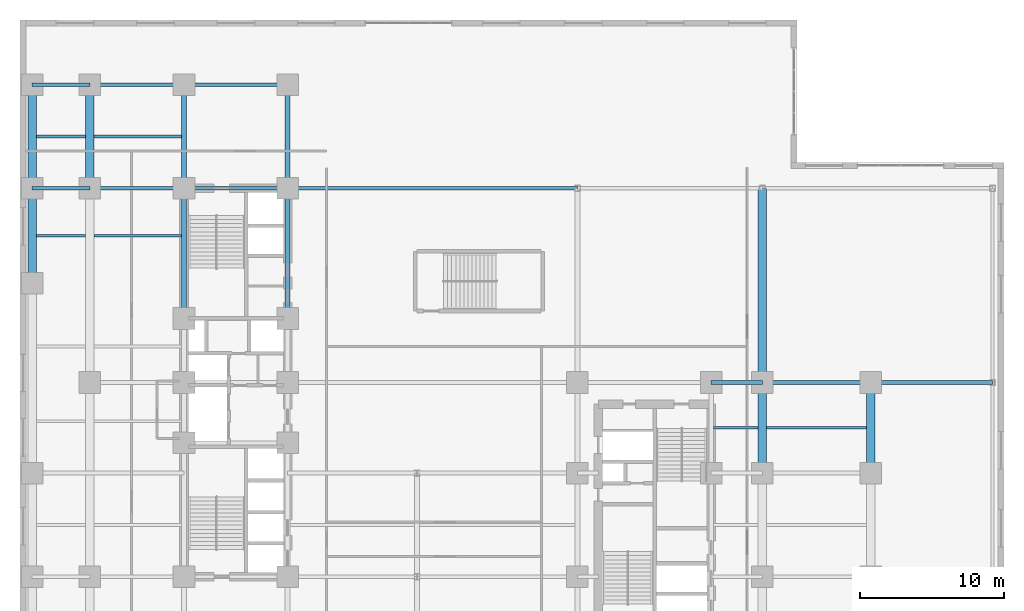
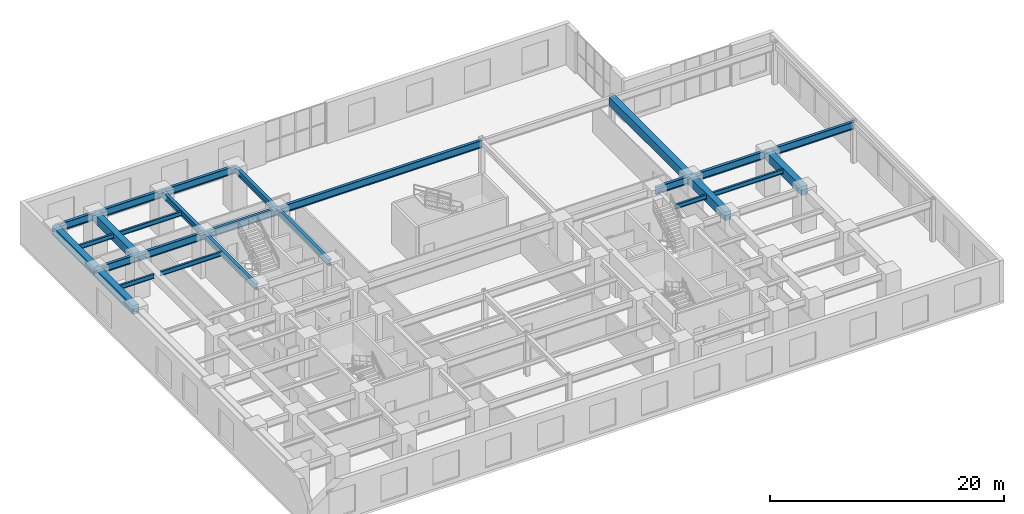
# One storey, part 4 of 15: 26 beams.
"""IFC4 building model written with IfcOpenShell, lengths in metres."""

from ifc_helpers import new_model, entity, si_unit, converted_unit, direction, frame, origin_with_axes, origin_2d_with_axis, place, context, subcontext, project, spatial, rectangle, i_section, extrude, material, material_profile, profile_set, type_object, element, save


model = new_model("IFC4")

# Units and contexts
model_context = context("Model", 3, precision=1e-05, world=origin_with_axes(), true_north=direction((0.0, 1.0)))
body_context = subcontext(model_context, "Body", "Model", "MODEL_VIEW")
ifc_project = project(units=[si_unit("LENGTHUNIT", "METRE"), si_unit("AREAUNIT", "SQUARE_METRE"), si_unit("VOLUMEUNIT", "CUBIC_METRE"), converted_unit("PLANEANGLEUNIT", "DEGREE", entity("IfcPlaneAngleMeasure", 0.017453292519943295), si_unit("PLANEANGLEUNIT", "RADIAN"), dimensions=[0, 0, 0, 0, 0, 0, 0]), si_unit("MASSUNIT", "GRAM", prefix="KILO"), si_unit("THERMODYNAMICTEMPERATUREUNIT", "KELVIN")], contexts=[model_context])

# Site, building, storey
site_placement = place(None, origin_with_axes())
site = spatial("IfcSite", under=ifc_project, at=site_placement, CompositionType="ELEMENT")
building_placement = place(site_placement, origin_with_axes())
building = spatial("IfcBuilding", under=site, at=building_placement, Name="Varnlund Millrace Tower", CompositionType="ELEMENT")
storey_placement = place(building_placement, frame((0.0, 0.0, 15.3), z_axis=(0.0, 0.0, 1.0), x_axis=(1.0, 0.0, 0.0)))
storey = spatial("IfcBuildingStorey", under=building, at=storey_placement, Name="L03", CompositionType="ELEMENT", Elevation=15.3)

# Beams
ifc_material_1 = material(Name="Steel ASTM A992 Grade 50", Category="steel")
ifc_material_profile_1 = material_profile(ifc_material_1, i_section(OverallWidth=0.328, OverallDepth=0.628, WebThickness=0.0165, FlangeThickness=0.0277, FilletRadius=0.018, at=origin_2d_with_axis()), Name="Steel ASTM A992 Grade 50")
ifc_profile_set_1 = profile_set([ifc_material_profile_1], Name="Steel ASTM A992 Grade 50")
beam_type_1 = type_object("IfcBeamType", Name="Type-Girder-W24X146", PredefinedType="USERDEFINED", material=ifc_profile_set_1)
beam_1_placement = place(storey_placement, frame((11.4, 28.75, 3.946), z_axis=(0.0, 1.0, 0.0), x_axis=(-1.0, 0.0, 0.0)))
element("IfcBeam", 1, at=beam_1_placement, inside=storey, type_object=beam_type_1, Name="Type-Girder-W24X146", ObjectType="GIRDER", PredefinedType="USERDEFINED", context=body_context, shape_type="SweptSolid", body=[
    extrude(i_section(OverallWidth=0.328, OverallDepth=0.628, WebThickness=0.0165, FlangeThickness=0.0277, FilletRadius=0.018, at=origin_2d_with_axis()), origin_with_axes(), (0.0, 0.0, 1.0), 9.05),
])
beam_2_placement = place(storey_placement, frame((11.4, 37.8, 3.946), z_axis=(0.0, 1.0, 0.0), x_axis=(-1.0, 0.0, 0.0)))
element("IfcBeam", 2, at=beam_2_placement, inside=storey, type_object=beam_type_1, Name="Type-Girder-W24X146", ObjectType="GIRDER", PredefinedType="USERDEFINED", context=body_context, shape_type="SweptSolid", body=[
    extrude(i_section(OverallWidth=0.328, OverallDepth=0.628, WebThickness=0.0165, FlangeThickness=0.0277, FilletRadius=0.018, at=origin_2d_with_axis()), origin_with_axes(), (0.0, 0.0, 1.0), 7.2),
])
beam_3_placement = place(storey_placement, frame((18.6, 28.75, 3.946), z_axis=(0.0, 1.0, 0.0), x_axis=(-1.0, 0.0, 0.0)))
element("IfcBeam", 3, at=beam_3_placement, inside=storey, type_object=beam_type_1, Name="Type-Girder-W24X146", ObjectType="GIRDER", PredefinedType="USERDEFINED", context=body_context, shape_type="SweptSolid", body=[
    extrude(i_section(OverallWidth=0.328, OverallDepth=0.628, WebThickness=0.0165, FlangeThickness=0.0277, FilletRadius=0.018, at=origin_2d_with_axis()), origin_with_axes(), (0.0, 0.0, 1.0), 9.05),
])
beam_4_placement = place(storey_placement, frame((18.6, 37.8, 3.946), z_axis=(0.0, 1.0, 0.0), x_axis=(-1.0, 0.0, 0.0)))
element("IfcBeam", 4, at=beam_4_placement, inside=storey, type_object=beam_type_1, Name="Type-Girder-W24X146", ObjectType="GIRDER", PredefinedType="USERDEFINED", context=body_context, shape_type="SweptSolid", body=[
    extrude(i_section(OverallWidth=0.328, OverallDepth=0.628, WebThickness=0.0165, FlangeThickness=0.0277, FilletRadius=0.018, at=origin_2d_with_axis()), origin_with_axes(), (0.0, 0.0, 1.0), 7.2),
])
ifc_material_profile_2 = material_profile(ifc_material_1, i_section(OverallWidth=0.266, OverallDepth=0.779, WebThickness=0.0165, FlangeThickness=0.03, FilletRadius=0.02, at=origin_2d_with_axis()), Name="Steel ASTM A992 Grade 50")
ifc_profile_set_2 = profile_set([ifc_material_profile_2], Name="Steel ASTM A992 Grade 50")
beam_type_2 = type_object("IfcBeamType", Name="Type-Girder-W30X148", PredefinedType="USERDEFINED", material=ifc_profile_set_2)
beam_5_placement = place(storey_placement, frame((48.05, 24.3, 3.8705), z_axis=(1.0, 0.0, 0.0), x_axis=(0.0, 1.0, 0.0)))
element("IfcBeam", 5, at=beam_5_placement, inside=storey, type_object=beam_type_2, Name="Type-Girder-W30X148", ObjectType="GIRDER", PredefinedType="USERDEFINED", context=body_context, shape_type="SweptSolid", body=[
    extrude(i_section(OverallWidth=0.266, OverallDepth=0.779, WebThickness=0.0165, FlangeThickness=0.03, FilletRadius=0.02, at=origin_2d_with_axis()), origin_with_axes(), (0.0, 0.0, 1.0), 3.55),
])
beam_6_placement = place(storey_placement, frame((51.6, 24.3, 3.8705), z_axis=(1.0, 0.0, 0.0), x_axis=(0.0, 1.0, 0.0)))
element("IfcBeam", 6, at=beam_6_placement, inside=storey, type_object=beam_type_2, Name="Type-Girder-W30X148", ObjectType="GIRDER", PredefinedType="USERDEFINED", context=body_context, shape_type="SweptSolid", body=[
    extrude(i_section(OverallWidth=0.266, OverallDepth=0.779, WebThickness=0.0165, FlangeThickness=0.03, FilletRadius=0.02, at=origin_2d_with_axis()), origin_with_axes(), (0.0, 0.0, 1.0), 7.55),
])
beam_7_placement = place(storey_placement, frame((59.15, 24.3, 3.8705), z_axis=(1.0, 0.0, 0.0), x_axis=(0.0, 1.0, 0.0)))
element("IfcBeam", 7, at=beam_7_placement, inside=storey, type_object=beam_type_2, Name="Type-Girder-W30X148", ObjectType="GIRDER", PredefinedType="USERDEFINED", context=body_context, shape_type="SweptSolid", body=[
    extrude(i_section(OverallWidth=0.266, OverallDepth=0.779, WebThickness=0.0165, FlangeThickness=0.03, FilletRadius=0.02, at=origin_2d_with_axis()), origin_with_axes(), (0.0, 0.0, 1.0), 8.45),
])
beam_8_placement = place(storey_placement, frame((0.85, 37.8, 3.8705), z_axis=(1.0, 0.0, 0.0), x_axis=(0.0, 1.0, 0.0)))
element("IfcBeam", 8, at=beam_8_placement, inside=storey, type_object=beam_type_2, Name="Type-Girder-W30X148", ObjectType="GIRDER", PredefinedType="USERDEFINED", context=body_context, shape_type="SweptSolid", body=[
    extrude(i_section(OverallWidth=0.266, OverallDepth=0.779, WebThickness=0.0165, FlangeThickness=0.03, FilletRadius=0.02, at=origin_2d_with_axis()), origin_with_axes(), (0.0, 0.0, 1.0), 4.0),
])
beam_9_placement = place(storey_placement, frame((4.85, 37.8, 3.8705), z_axis=(1.0, 0.0, 0.0), x_axis=(0.0, 1.0, 0.0)))
element("IfcBeam", 9, at=beam_9_placement, inside=storey, type_object=beam_type_2, Name="Type-Girder-W30X148", ObjectType="GIRDER", PredefinedType="USERDEFINED", context=body_context, shape_type="SweptSolid", body=[
    extrude(i_section(OverallWidth=0.266, OverallDepth=0.779, WebThickness=0.0165, FlangeThickness=0.03, FilletRadius=0.02, at=origin_2d_with_axis()), origin_with_axes(), (0.0, 0.0, 1.0), 6.55),
])
beam_10_placement = place(storey_placement, frame((11.4, 37.8, 3.8705), z_axis=(1.0, 0.0, 0.0), x_axis=(0.0, 1.0, 0.0)))
element("IfcBeam", 10, at=beam_10_placement, inside=storey, type_object=beam_type_2, Name="Type-Girder-W30X148", ObjectType="GIRDER", PredefinedType="USERDEFINED", context=body_context, shape_type="SweptSolid", body=[
    extrude(i_section(OverallWidth=0.266, OverallDepth=0.779, WebThickness=0.0165, FlangeThickness=0.03, FilletRadius=0.02, at=origin_2d_with_axis()), origin_with_axes(), (0.0, 0.0, 1.0), 7.2),
])
beam_11_placement = place(storey_placement, frame((18.6, 37.8, 3.8705), z_axis=(1.0, 0.0, 0.0), x_axis=(0.0, 1.0, 0.0)))
element("IfcBeam", 11, at=beam_11_placement, inside=storey, type_object=beam_type_2, Name="Type-Girder-W30X148", ObjectType="GIRDER", PredefinedType="USERDEFINED", context=body_context, shape_type="SweptSolid", body=[
    extrude(i_section(OverallWidth=0.266, OverallDepth=0.779, WebThickness=0.0165, FlangeThickness=0.03, FilletRadius=0.02, at=origin_2d_with_axis()), origin_with_axes(), (0.0, 0.0, 1.0), 20.15),
])
beam_12_placement = place(storey_placement, frame((0.85, 45.0, 3.8705), z_axis=(1.0, 0.0, 0.0), x_axis=(0.0, 1.0, 0.0)))
element("IfcBeam", 12, at=beam_12_placement, inside=storey, type_object=beam_type_2, Name="Type-Girder-W30X148", ObjectType="GIRDER", PredefinedType="USERDEFINED", context=body_context, shape_type="SweptSolid", body=[
    extrude(i_section(OverallWidth=0.266, OverallDepth=0.779, WebThickness=0.0165, FlangeThickness=0.03, FilletRadius=0.02, at=origin_2d_with_axis()), origin_with_axes(), (0.0, 0.0, 1.0), 4.0),
])
beam_13_placement = place(storey_placement, frame((4.85, 45.0, 3.8705), z_axis=(1.0, 0.0, 0.0), x_axis=(0.0, 1.0, 0.0)))
element("IfcBeam", 13, at=beam_13_placement, inside=storey, type_object=beam_type_2, Name="Type-Girder-W30X148", ObjectType="GIRDER", PredefinedType="USERDEFINED", context=body_context, shape_type="SweptSolid", body=[
    extrude(i_section(OverallWidth=0.266, OverallDepth=0.779, WebThickness=0.0165, FlangeThickness=0.03, FilletRadius=0.02, at=origin_2d_with_axis()), origin_with_axes(), (0.0, 0.0, 1.0), 6.55),
])
beam_14_placement = place(storey_placement, frame((11.4, 45.0, 3.8705), z_axis=(1.0, 0.0, 0.0), x_axis=(0.0, 1.0, 0.0)))
element("IfcBeam", 14, at=beam_14_placement, inside=storey, type_object=beam_type_2, Name="Type-Girder-W30X148", ObjectType="GIRDER", PredefinedType="USERDEFINED", context=body_context, shape_type="SweptSolid", body=[
    extrude(i_section(OverallWidth=0.266, OverallDepth=0.779, WebThickness=0.0165, FlangeThickness=0.03, FilletRadius=0.02, at=origin_2d_with_axis()), origin_with_axes(), (0.0, 0.0, 1.0), 7.2),
])
ifc_material_profile_3 = material_profile(ifc_material_1, i_section(OverallWidth=0.191, OverallDepth=0.457, WebThickness=0.009, FlangeThickness=0.0145, FilletRadius=0.013, at=origin_2d_with_axis()), Name="Steel ASTM A992 Grade 50")
ifc_profile_set_3 = profile_set([ifc_material_profile_3], Name="Steel ASTM A992 Grade 50")
beam_type_3 = type_object("IfcBeamType", Name="Type-Joist-W18X50", PredefinedType="JOIST", material=ifc_profile_set_3)
for number, where, z_axis, x_axis, name in (
    (15, (1.15, 34.5, 4.0315), (1.0, 0.0, 0.0), (0.0, 1.0, 0.0), "Type-Joist-W18X50"),
    (16, (1.15, 41.4, 4.0315), (1.0, 0.0, 0.0), (0.0, 1.0, 0.0), "Type-Joist-W18X50"),
):
    element("IfcBeam", number, at=place(storey_placement, frame(where, z_axis=z_axis, x_axis=x_axis)), inside=storey, type_object=beam_type_3, Name=name, PredefinedType="JOIST", context=body_context, shape_type="SweptSolid", body=[
        extrude(i_section(OverallWidth=0.191, OverallDepth=0.457, WebThickness=0.009, FlangeThickness=0.0145, FilletRadius=0.013, at=origin_2d_with_axis()), origin_with_axes(), (0.0, 0.0, 1.0), 3.4),
    ])
for number, where, z_axis, x_axis, name in (
    (17, (5.15, 34.5, 4.0315), (1.0, 0.0, 0.0), (0.0, 1.0, 0.0), "Type-Joist-W18X50"),
    (18, (5.15, 41.4, 4.0315), (1.0, 0.0, 0.0), (0.0, 1.0, 0.0), "Type-Joist-W18X50"),
):
    element("IfcBeam", number, at=place(storey_placement, frame(where, z_axis=z_axis, x_axis=x_axis)), inside=storey, type_object=beam_type_3, Name=name, PredefinedType="JOIST", context=body_context, shape_type="SweptSolid", body=[
        extrude(i_section(OverallWidth=0.191, OverallDepth=0.457, WebThickness=0.009, FlangeThickness=0.0145, FilletRadius=0.013, at=origin_2d_with_axis()), origin_with_axes(), (0.0, 0.0, 1.0), 6.086),
    ])
beam_15_placement = place(storey_placement, frame((48.214, 21.15, 4.0315), z_axis=(1.0, 0.0, 0.0), x_axis=(0.0, 1.0, 0.0)))
element("IfcBeam", 19, at=beam_15_placement, inside=storey, type_object=beam_type_3, Name="Type-Joist-W18X50", PredefinedType="JOIST", context=body_context, shape_type="SweptSolid", body=[
    extrude(i_section(OverallWidth=0.191, OverallDepth=0.457, WebThickness=0.009, FlangeThickness=0.0145, FilletRadius=0.013, at=origin_2d_with_axis()), origin_with_axes(), (0.0, 0.0, 1.0), 3.086),
])
beam_16_placement = place(storey_placement, frame((51.9, 21.15, 4.0315), z_axis=(1.0, 0.0, 0.0), x_axis=(0.0, 1.0, 0.0)))
element("IfcBeam", 20, at=beam_16_placement, inside=storey, type_object=beam_type_3, Name="Type-Joist-W18X50", PredefinedType="JOIST", context=body_context, shape_type="SweptSolid", body=[
    extrude(i_section(OverallWidth=0.191, OverallDepth=0.457, WebThickness=0.009, FlangeThickness=0.0145, FilletRadius=0.013, at=origin_2d_with_axis()), origin_with_axes(), (0.0, 0.0, 1.0), 6.95),
])
ifc_material_2 = material(Name="Concrete C70/85", Category="concrete")
ifc_material_profile_4 = material_profile(ifc_material_2, rectangle(XDim=0.6, YDim=0.9, at=origin_2d_with_axis()), Name="Concrete C70/85")
ifc_profile_set_4 = profile_set([ifc_material_profile_4], Name="Concrete C70/85")
beam_type_4 = type_object("IfcBeamType", Name="Type-Spandrel-RC600X900", PredefinedType="SPANDREL", material=ifc_profile_set_4)
beam_17_placement = place(storey_placement, frame((0.85, 31.2, 3.81), z_axis=(0.0, 1.0, 0.0), x_axis=(-1.0, 0.0, 0.0)))
element("IfcBeam", 21, at=beam_17_placement, inside=storey, type_object=beam_type_4, Name="Type-Spandrel-RC600X900", PredefinedType="SPANDREL", context=body_context, shape_type="SweptSolid", body=[
    extrude(rectangle(XDim=0.6, YDim=0.9, at=origin_2d_with_axis()), origin_with_axes(), (0.0, 0.0, 1.0), 6.6),
])
for number, where, z_axis, x_axis, name in (
    (22, (0.85, 37.8, 3.81), (0.0, 1.0, 0.0), (-1.0, 0.0, 0.0), "Type-Spandrel-RC600X900"),
    (23, (4.85, 37.8, 3.81), (0.0, 1.0, 0.0), (-1.0, 0.0, 0.0), "Type-Spandrel-RC600X900"),
):
    element("IfcBeam", number, at=place(storey_placement, frame(where, z_axis=z_axis, x_axis=x_axis)), inside=storey, type_object=beam_type_4, Name=name, PredefinedType="SPANDREL", context=body_context, shape_type="SweptSolid", body=[
        extrude(rectangle(XDim=0.6, YDim=0.9, at=origin_2d_with_axis()), origin_with_axes(), (0.0, 0.0, 1.0), 7.2),
    ])
beam_18_placement = place(storey_placement, frame((51.6, 18.0, 3.81), z_axis=(0.0, 1.0, 0.0), x_axis=(-1.0, 0.0, 0.0)))
element("IfcBeam", 24, at=beam_18_placement, inside=storey, type_object=beam_type_4, Name="Type-Spandrel-RC600X900", PredefinedType="SPANDREL", context=body_context, shape_type="SweptSolid", body=[
    extrude(rectangle(XDim=0.6, YDim=0.9, at=origin_2d_with_axis()), origin_with_axes(), (0.0, 0.0, 1.0), 6.3),
])
beam_19_placement = place(storey_placement, frame((51.6, 24.3, 3.81), z_axis=(0.0, 1.0, 0.0), x_axis=(-1.0, 0.0, 0.0)))
element("IfcBeam", 25, at=beam_19_placement, inside=storey, type_object=beam_type_4, Name="Type-Spandrel-RC600X900", PredefinedType="SPANDREL", context=body_context, shape_type="SweptSolid", body=[
    extrude(rectangle(XDim=0.6, YDim=0.9, at=origin_2d_with_axis()), origin_with_axes(), (0.0, 0.0, 1.0), 13.5),
])
beam_20_placement = place(storey_placement, frame((59.15, 18.0, 3.81), z_axis=(0.0, 1.0, 0.0), x_axis=(-1.0, 0.0, 0.0)))
element("IfcBeam", 26, at=beam_20_placement, inside=storey, type_object=beam_type_4, Name="Type-Spandrel-RC600X900", PredefinedType="SPANDREL", context=body_context, shape_type="SweptSolid", body=[
    extrude(rectangle(XDim=0.6, YDim=0.9, at=origin_2d_with_axis()), origin_with_axes(), (0.0, 0.0, 1.0), 6.3),
])

save(model, "model.ifc")
